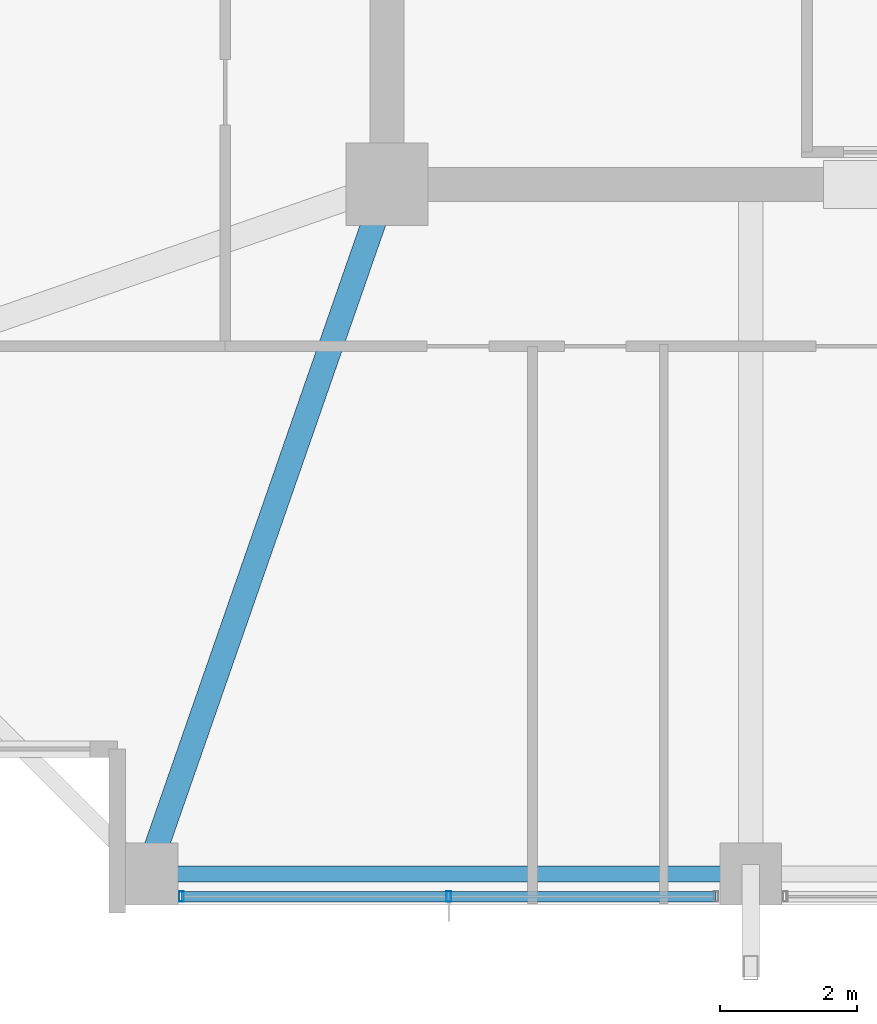
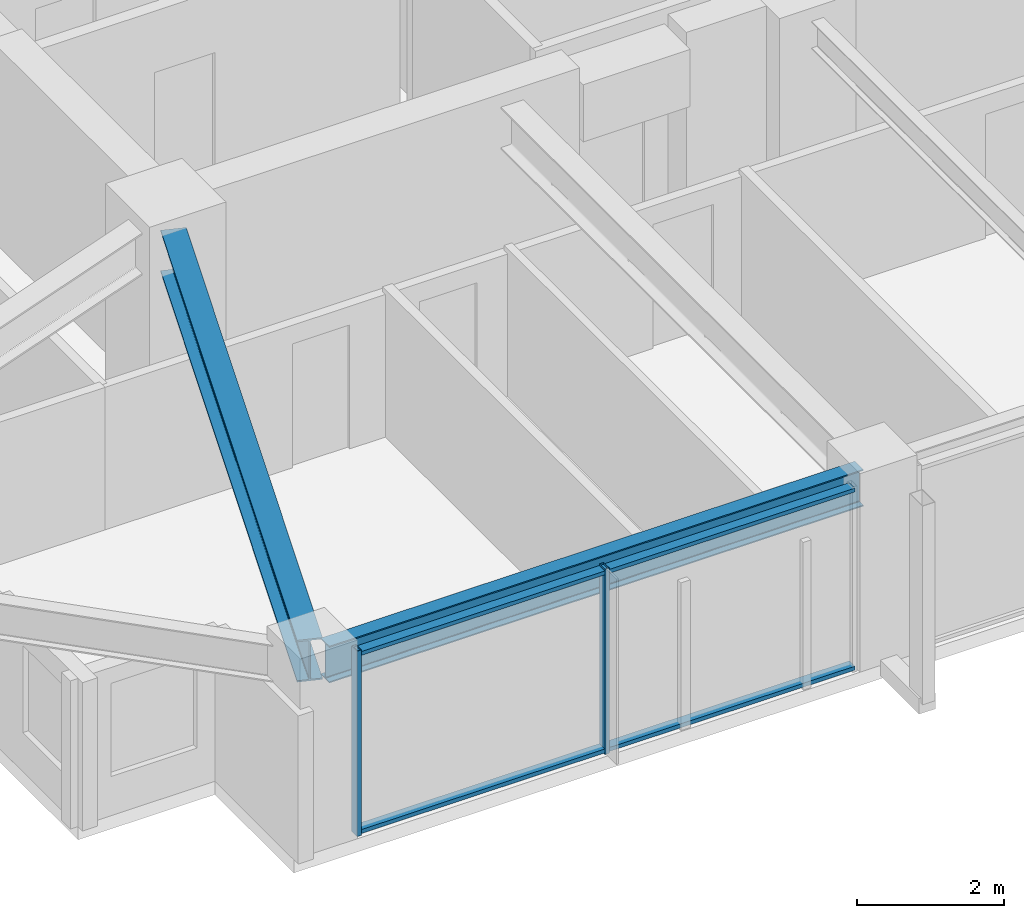
# One storey, part 2 of 35: 4 members, 2 beams, 1 element without a shape of its own.
"""IFC4 building model written with IfcOpenShell, lengths in metres."""

import ifcopenshell
import ifcopenshell.guid

model = None  # the IFC model being written
_history = None  # IfcOwnerHistory: only IFC2X3 demands one
_inside = {}  # id of a spatial element -> (the spatial element, [elements in it])
_under = {}  # id of a project, library or spatial element -> (it, [spatial elements below it])
_declared = {}  # id of a project -> (the project, [libraries it declares])
_typed = {}  # id of a type object -> (the type object, [elements of that type])
_made_of = {}  # id of a material, layer set ... -> (it, [elements and type objects made of it])


def new_model(schema):
    """Start an empty IFC model of exactly this schema.

    Asked for "IFC4X3", IfcOpenShell would pick the latest addendum, in which some entities
    have other attributes; the version numbers below select the first issue.
    IFC2X3 requires an IfcOwnerHistory on every rooted entity: one is made here for all.
    """
    global model, _history
    if schema == "IFC4X3":
        model = ifcopenshell.file(schema_version=(4, 3, 0, 0))
    else:
        model = ifcopenshell.file(schema=schema)
    _inside.clear()
    _under.clear()
    _declared.clear()
    _typed.clear()
    _made_of.clear()
    _history = None
    if model.schema == "IFC2X3":
        org = make("IfcOrganization", Name="unknown")
        user = make(
            "IfcPersonAndOrganization",
            ThePerson=make("IfcPerson", FamilyName="unknown"),
            TheOrganization=org,
        )
        app = make(
            "IfcApplication",
            ApplicationDeveloper=org,
            Version="unknown",
            ApplicationFullName="unknown",
            ApplicationIdentifier="unknown",
        )
        _history = make(
            "IfcOwnerHistory",
            OwningUser=user,
            OwningApplication=app,
            ChangeAction="ADDED",
            CreationDate=0,
        )
    return model


def make(cls, **values):
    """One entity of the class cls with the attributes given. An attribute that is None is left unset."""
    return model.create_entity(
        cls, **{name: value for name, value in values.items() if value is not None}
    )


def rooted(cls, **values):
    """An entity with a GlobalId (a new one), such as an element, a storey or a relation."""
    return make(cls, GlobalId=ifcopenshell.guid.new(), OwnerHistory=_history, **values)


def si_unit(unit_type, name, prefix=None):
    """IfcSIUnit, for example si_unit("LENGTHUNIT", "METRE", prefix="MILLI")."""
    return make("IfcSIUnit", UnitType=unit_type, Prefix=prefix, Name=name)


def assignment(units):
    """IfcUnitAssignment: the units of a project."""
    return None if units is None else make("IfcUnitAssignment", Units=units)


def point(xyz):
    """IfcCartesianPoint."""
    return None if xyz is None else make("IfcCartesianPoint", Coordinates=xyz)


def direction(xyz):
    """IfcDirection."""
    return None if xyz is None else make("IfcDirection", DirectionRatios=xyz)


def frame(location, z_axis=None, x_axis=None):
    """IfcAxis2Placement3D, a coordinate frame: its origin and axes. An axis left out is left unset."""
    return make(
        "IfcAxis2Placement3D",
        Location=point(location),
        Axis=direction(z_axis),
        RefDirection=direction(x_axis),
    )


def frame_2d(location, x_axis=None):
    """IfcAxis2Placement2D, a coordinate frame in the plane: its origin and x axis."""
    return make(
        "IfcAxis2Placement2D", Location=point(location), RefDirection=direction(x_axis)
    )


def origin():
    """The frame at (0, 0, 0) with its axes left unset."""
    return frame((0.0, 0.0, 0.0))


def origin_2d():
    """The frame at (0, 0) in the plane with its x axis left unset."""
    return frame_2d((0.0, 0.0))


def place(relative_to, where):
    """IfcLocalPlacement: puts the frame where relative to a parent placement (None: the world)."""
    return make(
        "IfcLocalPlacement", PlacementRelTo=relative_to, RelativePlacement=where
    )


def context(
    kind, dimensions, precision=None, world=None, true_north=None, identifier=None
):
    """IfcGeometricRepresentationContext, for example the 3D "Model" context."""
    return make(
        "IfcGeometricRepresentationContext",
        ContextIdentifier=identifier,
        ContextType=kind,
        CoordinateSpaceDimension=dimensions,
        Precision=precision,
        WorldCoordinateSystem=world,
        TrueNorth=true_north,
    )


def subcontext(parent, identifier, kind, view, scale=None):
    """IfcGeometricRepresentationSubContext, for example "Body" below "Model"."""
    return make(
        "IfcGeometricRepresentationSubContext",
        ContextIdentifier=identifier,
        ContextType=kind,
        ParentContext=parent,
        TargetScale=scale,
        TargetView=view,
    )


def project(units=None, contexts=None):
    """IfcProject with its units and contexts."""
    return rooted(
        "IfcProject",
        Name="project",
        RepresentationContexts=contexts,
        UnitsInContext=assignment(units),
    )


def spatial(cls, under=None, at=None, **own):
    """A site, building, storey or space (cls), placed at a placement, below another one or the project."""
    s = rooted(cls, ObjectPlacement=at, **own)
    if under is not None:
        _under.setdefault(under.id(), (under, []))[1].append(s)
    return s


def profile(cls, at=None, kind="AREA", **sizes):
    """A parametric profile (cls). Its sizes go by their IFC names, for example OverallWidth=200.0."""
    return make(cls, ProfileType=kind, Position=at, **sizes)


def hollow_rectangle(**sizes):
    """IfcRectangleHollowProfileDef."""
    return profile("IfcRectangleHollowProfileDef", **sizes)


def i_section(**sizes):
    """IfcIShapeProfileDef."""
    return profile("IfcIShapeProfileDef", **sizes)


def extrude(swept, where, along, depth):
    """IfcExtrudedAreaSolid: the profile swept, set in the frame where, extruded along a direction by depth."""
    return make(
        "IfcExtrudedAreaSolid",
        SweptArea=swept,
        Position=where,
        ExtrudedDirection=direction(along),
        Depth=depth,
    )


def shape(context_of_items, identifier, shape_type, items):
    """IfcShapeRepresentation: the items that make up one representation, for example the "Body"."""
    return make(
        "IfcShapeRepresentation",
        ContextOfItems=context_of_items,
        RepresentationIdentifier=identifier,
        RepresentationType=shape_type,
        Items=items,
    )


def material(Name=None, Category=None):
    """IfcMaterial."""
    return make("IfcMaterial", Name=Name, Category=Category)


def material_profile(
    of_material, cross_section, Name=None, Category=None, Priority=None
):
    """IfcMaterialProfile: a cross section and its material."""
    return make(
        "IfcMaterialProfile",
        Name=Name,
        Material=of_material,
        Profile=cross_section,
        Priority=Priority,
        Category=Category,
    )


def profile_set(profiles, Name=None, composite=None):
    """IfcMaterialProfileSet."""
    return make(
        "IfcMaterialProfileSet",
        Name=Name,
        MaterialProfiles=profiles,
        CompositeProfile=composite,
    )


def made_of(thing, what):
    """Note that an element or type object is made of a material, layer set ...; save() writes the relation."""
    if what is not None:
        _made_of.setdefault(what.id(), (what, []))[1].append(thing)
    return thing


def type_object(cls, material=None, **own):
    """A type object (cls), such as IfcWallType, which elements share."""
    return made_of(rooted(cls, **own), material)


def element(
    cls,
    number,
    at=None,
    inside=None,
    cuts=None,
    type_object=None,
    material=None,
    context=None,
    identifier="Body",
    shape_type=None,
    held_by="IfcProductDefinitionShape",
    body=None,
    shapes=None,
    **own,
):
    """One element of the class cls, such as IfcWall. Its Tag is "e" and its number.

    at: its placement. inside: the storey or other place that contains it. cuts: it is an
    opening in that element (IfcRelVoidsElement). A single representation is given by context,
    identifier, shape_type and body (its items); several are given by shapes. held_by: the class
    of the entity that holds the representations. save() writes the other relations.
    """
    e = rooted(cls, Tag="e%d" % number, ObjectPlacement=at, **own)
    if body is not None:
        shapes = [shape(context, identifier, shape_type, body)]
    if shapes is not None:
        e.Representation = make(held_by, Representations=shapes)
    if inside is not None:
        _inside.setdefault(inside.id(), (inside, []))[1].append(e)
    if cuts is not None:
        rooted(
            "IfcRelVoidsElement", RelatingBuildingElement=cuts, RelatedOpeningElement=e
        )
    if type_object is not None:
        _typed.setdefault(type_object.id(), (type_object, []))[1].append(e)
    return made_of(e, material)


def aggregate(whole, parts):
    """IfcRelAggregates: a whole, such as a stair, and the parts it consists of."""
    return rooted("IfcRelAggregates", RelatingObject=whole, RelatedObjects=parts)


def save(model, path):
    """Write the relations noted so far, then the file.

    IfcRelAggregates (storeys below a building ...), IfcRelContainedInSpatialStructure (elements
    in a storey), IfcRelDefinesByType, IfcRelAssociatesMaterial and IfcRelDeclares: one each for
    every whole, place, type object, material and project.
    """
    for whole, parts in _under.values():
        aggregate(whole, parts)
    for where, things in _inside.values():
        rooted(
            "IfcRelContainedInSpatialStructure",
            RelatedElements=things,
            RelatingStructure=where,
        )
    for kind, things in _typed.values():
        rooted("IfcRelDefinesByType", RelatedObjects=things, RelatingType=kind)
    for what, things in _made_of.values():
        rooted("IfcRelAssociatesMaterial", RelatedObjects=things, RelatingMaterial=what)
    for by, libraries in _declared.values():
        rooted("IfcRelDeclares", RelatingContext=by, RelatedDefinitions=libraries)
    model.write(path)


model = new_model("IFC4")

# Units and contexts
model_context = context("Model", 3, precision=1e-05, world=origin(), true_north=direction((0.0, 1.0)))
body_context = subcontext(model_context, "Body", "Model", "MODEL_VIEW")
ifc_project = project(units=[si_unit("LENGTHUNIT", "METRE"), si_unit("AREAUNIT", "SQUARE_METRE"), si_unit("VOLUMEUNIT", "CUBIC_METRE"), si_unit("PLANEANGLEUNIT", "RADIAN"), si_unit("MASSUNIT", "GRAM", prefix="KILO")], contexts=[model_context])

# Site, building, storey
site_placement = place(None, origin())
site = spatial("IfcSite", under=ifc_project, at=site_placement, CompositionType="ELEMENT")
building_placement = place(site_placement, origin())
building = spatial("IfcBuilding", under=site, at=building_placement, Name="Kolvaren Belvedere", CompositionType="ELEMENT")
storey_placement = place(building_placement, frame((0.0, 0.0, 176.699951171875)))
storey = spatial("IfcBuildingStorey", under=building, at=storey_placement, Name="L51", CompositionType="ELEMENT", Elevation=176.699951171875)

# Beams
ifc_material_1 = material(Name="Structural steel ASTM A992 Grade 50", Category="steel")
ifc_material_profile_1 = material_profile(ifc_material_1, i_section(OverallWidth=0.35498046875, OverallDepth=0.696044921875, WebThickness=0.015380859375, FlangeThickness=0.02490234375, FilletRadius=0.02197265625, at=origin_2d()), Name="W27X146")
ifc_profile_set_1 = profile_set([ifc_material_profile_1], Name="Structural steel ASTM A992 Grade 50")
beam_type_1 = type_object("IfcBeamType", Name="BM-GIRD-W27X146", PredefinedType="BEAM", material=ifc_profile_set_1)
beam_1_placement = place(storey_placement, frame((-10.080810546875, -10.41943359375, 2.73193359375), z_axis=(-0.328894130701, -0.944366798861, 0.0), x_axis=(0.944366798861, -0.328894130701, 0.0)))
element("IfcBeam", 1, at=beam_1_placement, inside=storey, type_object=beam_type_1, Name="L51 Corner Core-to-Perimeter Girder CC1-S1", PredefinedType="BEAM", context=body_context, shape_type="SweptSolid", body=[
    extrude(i_section(OverallWidth=0.35498046875, OverallDepth=0.696044921875, WebThickness=0.015380859375, FlangeThickness=0.02490234375, FilletRadius=0.02197265625, at=origin_2d()), origin(), (0.0, 0.0, 1.0), 9.912109375),
])
ifc_material_2 = material(Name="Structural steel ASTM A992 Grade 50", Category="steel")
ifc_material_profile_2 = material_profile(ifc_material_2, i_section(OverallWidth=0.22900390625, OverallDepth=0.612060546875, WebThickness=0.011962890625, FlangeThickness=0.01953125, FilletRadius=0.01806640625, at=origin_2d()), Name="W24X84")
ifc_profile_set_2 = profile_set([ifc_material_profile_2], Name="Structural steel ASTM A992 Grade 50")
beam_type_2 = type_object("IfcBeamType", Name="BM-SPAN-W24X84", PredefinedType="SPANDREL", material=ifc_profile_set_2)
beam_2_placement = place(storey_placement, frame((-13.197509765625, -19.949951171875, 2.774169921875), z_axis=(1.0, 0.0, 0.0), x_axis=(0.0, 1.0, 0.0)))
element("IfcBeam", 2, at=beam_2_placement, inside=storey, type_object=beam_type_2, Name="L51 Perimeter Spandrel S1-S2", PredefinedType="SPANDREL", context=body_context, shape_type="SweptSolid", body=[
    extrude(i_section(OverallWidth=0.22900390625, OverallDepth=0.612060546875, WebThickness=0.011962890625, FlangeThickness=0.01953125, FilletRadius=0.01806640625, at=origin_2d()), origin(), (0.0, 0.0, 1.0), 8.39501953125),
])

# Curtain wall, members
ifc_material_3 = material(Name="Anodised pale-metal aluminium AA 6063-T6", Category="aluminium")
curtain_wall_type = type_object("IfcCurtainWallType", Name="CW-Z5-HIGH", PredefinedType="NOTDEFINED", material=ifc_material_3)
curtain_wall_placement = place(storey_placement, origin())
curtain_wall = element("IfcCurtainWall", 3, at=curtain_wall_placement, inside=storey, type_object=curtain_wall_type, Name="L51 Unitised Curtain Wall FCW-L51-S-B3", PredefinedType="NOTDEFINED")
ifc_material_4 = material(Name="Anodised pale-metal aluminium AA 6063-T6", Category="aluminium")
ifc_material_profile_3 = material_profile(ifc_material_4, hollow_rectangle(XDim=0.070068359375, YDim=0.14990234375, WallThickness=0.004150390625, at=origin_2d()), Name="ALU-MUL-150X70")
ifc_profile_set_3 = profile_set([ifc_material_profile_3], Name="Anodised pale-metal aluminium AA 6063-T6")
member_type_1 = type_object("IfcMemberType", Name="CW-MUL-150", PredefinedType="MULLION", material=ifc_profile_set_3)
member_1_placement = place(storey_placement, frame((-9.0, -20.280029296875, 0.0), z_axis=(0.0, 0.0, 1.0), x_axis=(1.0, 0.0, 0.0)))
member_1 = element("IfcMember", 4, at=member_1_placement, type_object=member_type_1, Name="FCW-L51-S-B3 Unitised Mullion 2", PredefinedType="MULLION", context=body_context, shape_type="SweptSolid", body=[
    extrude(hollow_rectangle(XDim=0.070068359375, YDim=0.14990234375, WallThickness=0.004150390625, at=origin_2d()), origin(), (0.0, 0.0, 1.0), 3.080078125),
])
member_2_placement = place(storey_placement, frame((-12.89501953125, -20.280029296875, 0.0), z_axis=(0.0, 0.0, 1.0), x_axis=(1.0, 0.0, 0.0)))
member_2 = element("IfcMember", 5, at=member_2_placement, type_object=member_type_1, Name="FCW-L51-S-B3 Unitised Mullion 3", PredefinedType="MULLION", context=body_context, shape_type="SweptSolid", body=[
    extrude(hollow_rectangle(XDim=0.070068359375, YDim=0.14990234375, WallThickness=0.004150390625, at=origin_2d()), origin(), (0.0, 0.0, 1.0), 3.080078125),
])
ifc_material_5 = material(Name="Anodised pale-metal aluminium AA 6063-T6", Category="aluminium")
ifc_material_profile_4 = material_profile(ifc_material_5, hollow_rectangle(XDim=0.06494140625, YDim=0.14990234375, WallThickness=0.00390625, at=origin_2d()), Name="ALU-TRN-150X65")
ifc_profile_set_4 = profile_set([ifc_material_profile_4], Name="Anodised pale-metal aluminium AA 6063-T6")
member_type_2 = type_object("IfcMemberType", Name="CW-TRN-150", PredefinedType="USERDEFINED", material=ifc_profile_set_4)
member_3_placement = place(storey_placement, frame((-5.10498046875, -20.280029296875, 0.06005859375), z_axis=(-1.0, 0.0, 0.0), x_axis=(0.0, 0.0, 1.0)))
member_3 = element("IfcMember", 6, at=member_3_placement, type_object=member_type_2, Name="FCW-L51-S-B3 Sill Transom", ObjectType="TRANSOM", PredefinedType="USERDEFINED", context=body_context, shape_type="SweptSolid", body=[
    extrude(hollow_rectangle(XDim=0.06494140625, YDim=0.14990234375, WallThickness=0.00390625, at=origin_2d()), origin(), (0.0, 0.0, 1.0), 7.7900390625),
])
member_4_placement = place(storey_placement, frame((-5.10498046875, -20.280029296875, 3.02001953125), z_axis=(-1.0, 0.0, 0.0), x_axis=(0.0, 0.0, 1.0)))
member_4 = element("IfcMember", 7, at=member_4_placement, type_object=member_type_2, Name="FCW-L51-S-B3 Head Transom", ObjectType="TRANSOM", PredefinedType="USERDEFINED", context=body_context, shape_type="SweptSolid", body=[
    extrude(hollow_rectangle(XDim=0.06494140625, YDim=0.14990234375, WallThickness=0.00390625, at=origin_2d()), origin(), (0.0, 0.0, 1.0), 7.7900390625),
])
aggregate(curtain_wall, [member_1, member_2, member_3, member_4])

save(model, "model.ifc")
